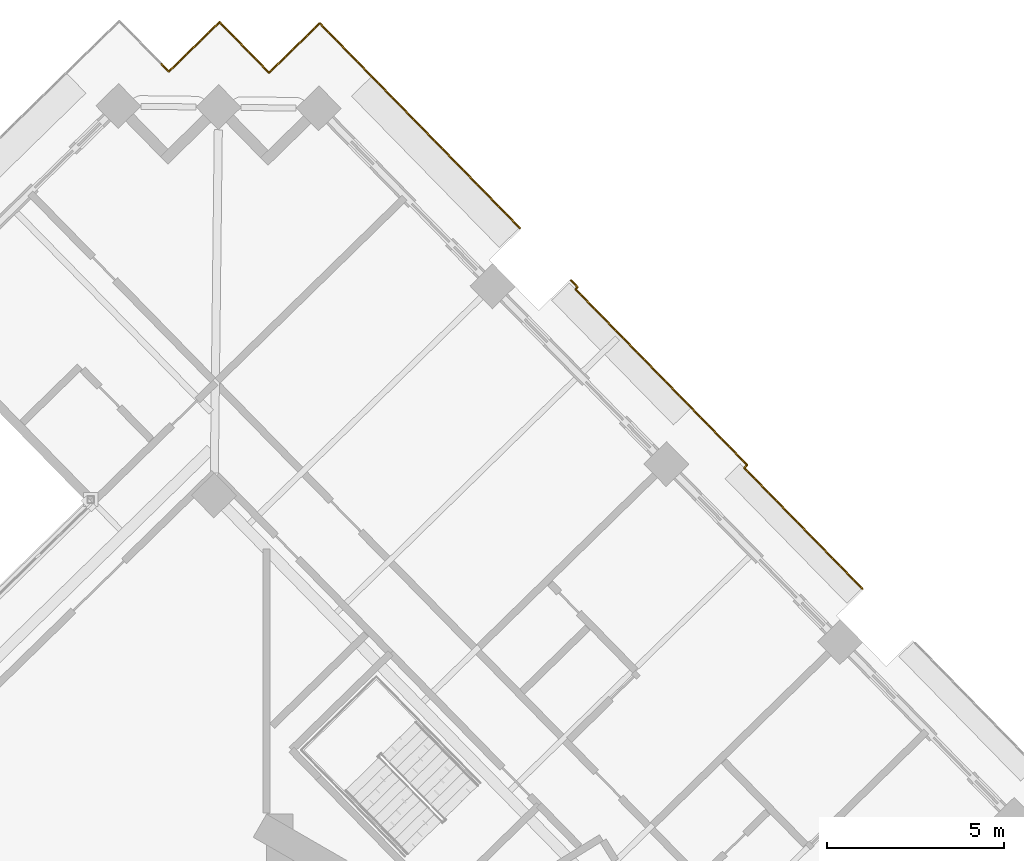
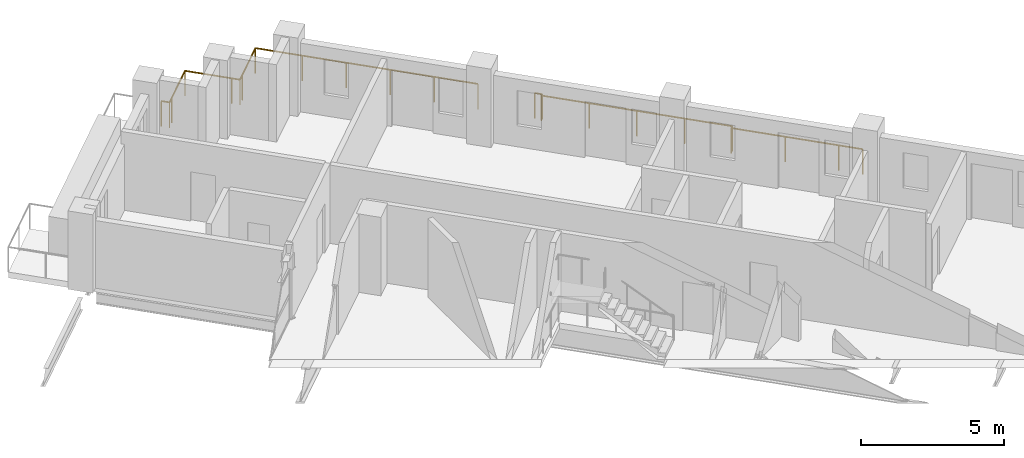
# One storey, part 17 of 18: 2 railings.
"""IFC4 building model written with IfcOpenShell, lengths in metres."""

from ifc_helpers import new_model, si_unit, direction, frame, origin, origin_2d, place, context, subcontext, project, spatial, circle, extrude, material, type_object, element, save


model = new_model("IFC4")

# Units and contexts
model_context = context("Model", 3, precision=1e-05, world=origin(), true_north=direction((0.0, 1.0)))
body_context = subcontext(model_context, "Body", "Model", "MODEL_VIEW")
ifc_project = project(units=[si_unit("LENGTHUNIT", "METRE"), si_unit("AREAUNIT", "SQUARE_METRE"), si_unit("VOLUMEUNIT", "CUBIC_METRE"), si_unit("PLANEANGLEUNIT", "RADIAN"), si_unit("MASSUNIT", "GRAM", prefix="KILO")], contexts=[model_context])

# Site, building, storey
site_placement = place(None, origin())
site = spatial("IfcSite", under=ifc_project, at=site_placement, CompositionType="ELEMENT")
building_placement = place(site_placement, origin())
building = spatial("IfcBuilding", under=site, at=building_placement, Name="Cantera Rosa Tower", CompositionType="ELEMENT")
storey_placement = place(building_placement, frame((0.0, 0.0, 219.800048828125)))
storey = spatial("IfcBuildingStorey", under=building, at=storey_placement, Name="L47", CompositionType="ELEMENT", Elevation=219.800048828125)

# Railings
ifc_material = material(Name="Stainless steel and laminated glass", Category="steel")
railing_type = type_object("IfcRailingType", Name="GUARD 1100", PredefinedType="BALUSTRADE", material=ifc_material)
railing_1_placement = place(storey_placement, frame((12.595703125, 25.028076171875, 0.0)))
element("IfcRailing", 1, at=railing_1_placement, inside=storey, type_object=railing_type, Name="GUARD L47-10", PredefinedType="BALUSTRADE", context=body_context, shape_type="SweptSolid", body=[
    extrude(circle(Radius=0.030029296875, at=origin_2d()), frame((0.0, 0.0, 1.070068359375), z_axis=(0.698922436913, -0.715197474254, 0.0), x_axis=(0.715197474254, 0.698922436913, 0.0)), (0.0, 0.0, 1.0), 0.27001953125),
    extrude(circle(Radius=0.030029296875, at=origin_2d()), frame((0.188720703125, -0.193115234375, 1.070068359375), z_axis=(-0.715817567127, -0.698287340994, 0.0), x_axis=(0.698287340994, -0.715817567127, 0.0)), (0.0, 0.0, 1.0), 0.08349609375),
    extrude(circle(Radius=0.030029296875, at=origin_2d()), frame((0.12890625, -0.25146484375, 1.070068359375), z_axis=(0.698822463092, -0.715295159412, 0.0), x_axis=(0.715295159412, 0.698822463092, 0.0)), (0.0, 0.0, 1.0), 6.936279296875),
    extrude(circle(Radius=0.030029296875, at=origin_2d()), frame((4.97607421875, -5.212890625, 1.070068359375), z_axis=(-0.715449344279, -0.698664608929, 0.0), x_axis=(0.698664608929, -0.715449344279, 0.0)), (0.0, 0.0, 1.0), 0.116455078125),
    extrude(circle(Radius=0.030029296875, at=origin_2d()), frame((4.892822265625, -5.294189453125, 1.070068359375), z_axis=(0.698866787925, -0.715251852662, 0.0), x_axis=(0.715251852662, 0.698866787925, 0.0)), (0.0, 0.0, 1.0), 3.90380859375),
    extrude(circle(Radius=0.030029296875, at=origin_2d()), frame((7.62109375, -8.08642578125, 1.070068359375), z_axis=(0.698779602308, -0.715337030636, 0.0), x_axis=(0.715337030636, 0.698779602308, 0.0)), (0.0, 0.0, 1.0), 0.869873046875),
    extrude(circle(Radius=0.02490234375, at=origin_2d()), origin(), (0.0, 0.0, 1.0), 1.0400390625),
    extrude(circle(Radius=0.02490234375, at=origin_2d()), frame((0.188720703125, -0.193115234375, 0.0)), (0.0, 0.0, 1.0), 1.0400390625),
    extrude(circle(Radius=0.02490234375, at=origin_2d()), frame((0.12890625, -0.25146484375, 0.0)), (0.0, 0.0, 1.0), 1.0400390625),
    extrude(circle(Radius=0.02490234375, at=origin_2d()), frame((1.3408203125, -1.49169921875, 0.0)), (0.0, 0.0, 1.0), 1.0400390625),
    extrude(circle(Radius=0.02490234375, at=origin_2d()), frame((2.552490234375, -2.732177734375, 0.0)), (0.0, 0.0, 1.0), 1.0400390625),
    extrude(circle(Radius=0.02490234375, at=origin_2d()), frame((3.76416015625, -3.97265625, 0.0)), (0.0, 0.0, 1.0), 1.0400390625),
    extrude(circle(Radius=0.02490234375, at=origin_2d()), frame((4.97607421875, -5.212890625, 0.0)), (0.0, 0.0, 1.0), 1.0400390625),
    extrude(circle(Radius=0.02490234375, at=origin_2d()), frame((4.892822265625, -5.294189453125, 0.0)), (0.0, 0.0, 1.0), 1.0400390625),
    extrude(circle(Radius=0.02490234375, at=origin_2d()), frame((6.2568359375, -6.6904296875, 0.0)), (0.0, 0.0, 1.0), 1.0400390625),
    extrude(circle(Radius=0.02490234375, at=origin_2d()), frame((7.62109375, -8.08642578125, 0.0)), (0.0, 0.0, 1.0), 1.0400390625),
    extrude(circle(Radius=0.02490234375, at=origin_2d()), frame((8.22900390625, -8.708740234375, 0.0)), (0.0, 0.0, 1.0), 1.0400390625),
])
railing_2_placement = place(storey_placement, frame((1.0341796875, 31.13818359375, 0.0)))
element("IfcRailing", 2, at=railing_2_placement, inside=storey, type_object=railing_type, Name="GUARD L47-11", PredefinedType="BALUSTRADE", context=body_context, shape_type="SweptSolid", body=[
    extrude(circle(Radius=0.030029296875, at=origin_2d()), frame((0.0, 0.0, 1.070068359375), z_axis=(0.698506948293, -0.715603272202, 0.0), x_axis=(0.715603272202, 0.698506948293, 0.0)), (0.0, 0.0, 1.0), 0.2998046875),
    extrude(circle(Radius=0.030029296875, at=origin_2d()), frame((0.20947265625, -0.214599609375, 1.070068359375), z_axis=(0.715196445894, 0.698923489218, 0.0), x_axis=(-0.698923489218, 0.715196445894, 0.0)), (0.0, 0.0, 1.0), 0.300048828125),
    extrude(circle(Radius=0.030029296875, at=origin_2d()), frame((0.424072265625, -0.0048828125, 1.070068359375), z_axis=(0.715316077832, 0.69880105094, 0.0), x_axis=(-0.69880105094, 0.715316077832, 0.0)), (0.0, 0.0, 1.0), 1.699951171875),
    extrude(circle(Radius=0.030029296875, at=origin_2d()), frame((1.64013671875, 1.18310546875, 1.070068359375), z_axis=(0.69880105094, -0.715316077832, 0.0), x_axis=(0.715316077832, 0.69880105094, 0.0)), (0.0, 0.0, 1.0), 1.699951171875),
    extrude(circle(Radius=0.030029296875, at=origin_2d()), frame((2.828125, -0.032958984375, 1.070068359375), z_axis=(0.698923489218, -0.715196445894, 0.0), x_axis=(0.715196445894, 0.698923489218, 0.0)), (0.0, 0.0, 1.0), 0.300048828125),
    extrude(circle(Radius=0.030029296875, at=origin_2d()), frame((3.037841796875, -0.24755859375, 1.070068359375), z_axis=(0.715196445894, 0.698923489218, 0.0), x_axis=(-0.698923489218, 0.715196445894, 0.0)), (0.0, 0.0, 1.0), 0.300048828125),
    extrude(circle(Radius=0.030029296875, at=origin_2d()), frame((3.25244140625, -0.037841796875, 1.070068359375), z_axis=(0.715316077832, 0.69880105094, 0.0), x_axis=(-0.69880105094, 0.715316077832, 0.0)), (0.0, 0.0, 1.0), 1.699951171875),
    extrude(circle(Radius=0.030029296875, at=origin_2d()), frame((4.468505859375, 1.150146484375, 1.070068359375), z_axis=(0.69880105094, -0.715316077832, 0.0), x_axis=(0.715316077832, 0.69880105094, 0.0)), (0.0, 0.0, 1.0), 1.699951171875),
    extrude(circle(Radius=0.030029296875, at=origin_2d()), frame((5.656494140625, -0.06591796875, 1.070068359375), z_axis=(0.698825008445, -0.715292672668, 0.0), x_axis=(0.715292672668, 0.698825008445, 0.0)), (0.0, 0.0, 1.0), 6.389892578125),
    extrude(circle(Radius=0.02490234375, at=origin_2d()), origin(), (0.0, 0.0, 1.0), 1.0400390625),
    extrude(circle(Radius=0.02490234375, at=origin_2d()), frame((0.20947265625, -0.214599609375, 0.0)), (0.0, 0.0, 1.0), 1.0400390625),
    extrude(circle(Radius=0.02490234375, at=origin_2d()), frame((0.424072265625, -0.0048828125, 0.0)), (0.0, 0.0, 1.0), 1.0400390625),
    extrude(circle(Radius=0.02490234375, at=origin_2d()), frame((1.64013671875, 1.18310546875, 0.0)), (0.0, 0.0, 1.0), 1.0400390625),
    extrude(circle(Radius=0.02490234375, at=origin_2d()), frame((2.828125, -0.032958984375, 0.0)), (0.0, 0.0, 1.0), 1.0400390625),
    extrude(circle(Radius=0.02490234375, at=origin_2d()), frame((3.037841796875, -0.24755859375, 0.0)), (0.0, 0.0, 1.0), 1.0400390625),
    extrude(circle(Radius=0.02490234375, at=origin_2d()), frame((3.25244140625, -0.037841796875, 0.0)), (0.0, 0.0, 1.0), 1.0400390625),
    extrude(circle(Radius=0.02490234375, at=origin_2d()), frame((4.468505859375, 1.150146484375, 0.0)), (0.0, 0.0, 1.0), 1.0400390625),
    extrude(circle(Radius=0.02490234375, at=origin_2d()), frame((5.656494140625, -0.06591796875, 0.0)), (0.0, 0.0, 1.0), 1.0400390625),
    extrude(circle(Radius=0.02490234375, at=origin_2d()), frame((6.77294921875, -1.20849609375, 0.0)), (0.0, 0.0, 1.0), 1.0400390625),
    extrude(circle(Radius=0.02490234375, at=origin_2d()), frame((7.88916015625, -2.35107421875, 0.0)), (0.0, 0.0, 1.0), 1.0400390625),
    extrude(circle(Radius=0.02490234375, at=origin_2d()), frame((9.00537109375, -3.493896484375, 0.0)), (0.0, 0.0, 1.0), 1.0400390625),
    extrude(circle(Radius=0.02490234375, at=origin_2d()), frame((10.121826171875, -4.636474609375, 0.0)), (0.0, 0.0, 1.0), 1.0400390625),
])

save(model, "model.ifc")
